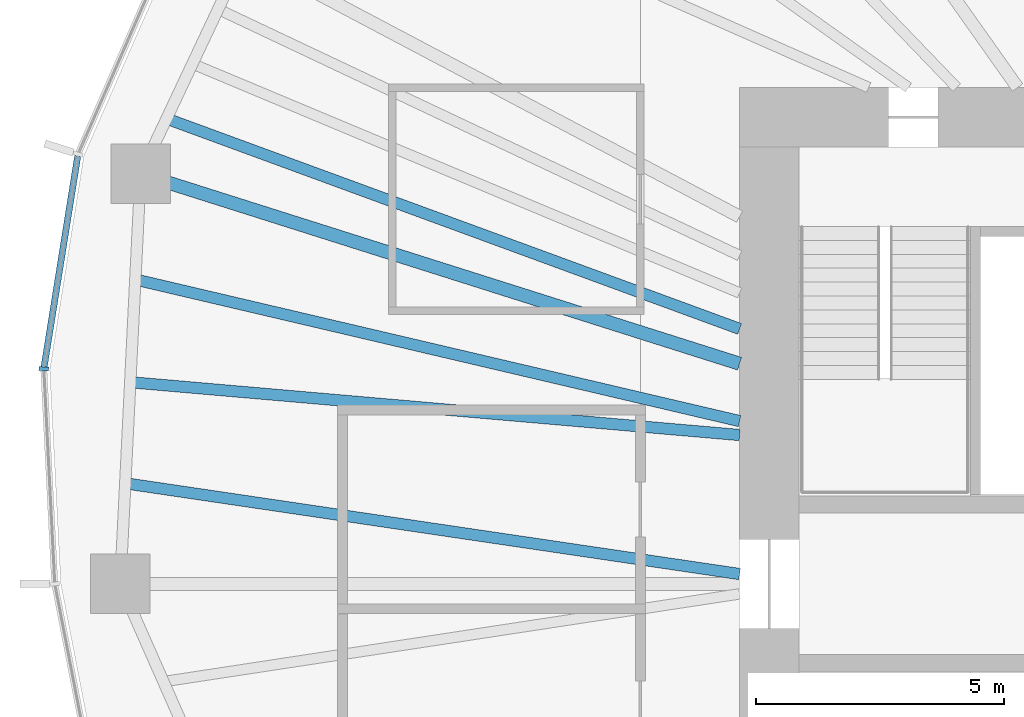
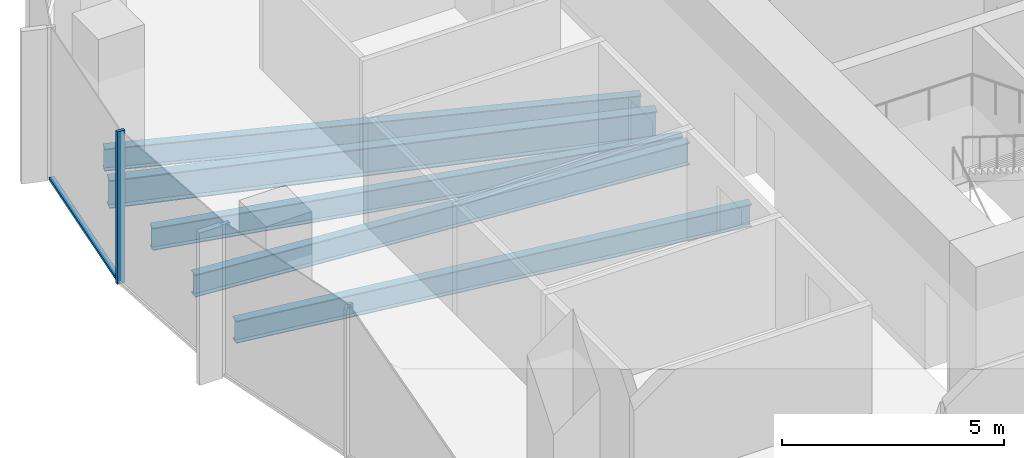
# One storey, part 3 of 11: 5 beams, 2 members, 1 element without a shape of its own.
"""IFC4 building model written with IfcOpenShell, lengths in metres."""

from ifc_helpers import new_model, si_unit, direction, frame, origin, origin_2d, place, context, subcontext, project, spatial, rectangle, i_section, extrude, material, material_profile, profile_set, type_object, element, aggregate, save


model = new_model("IFC4")

# Units and contexts
model_context = context("Model", 3, precision=1e-05, world=origin(), true_north=direction((0.0, 1.0)))
body_context = subcontext(model_context, "Body", "Model", "MODEL_VIEW")
ifc_project = project(units=[si_unit("LENGTHUNIT", "METRE"), si_unit("AREAUNIT", "SQUARE_METRE"), si_unit("VOLUMEUNIT", "CUBIC_METRE"), si_unit("PLANEANGLEUNIT", "RADIAN"), si_unit("MASSUNIT", "GRAM", prefix="KILO")], contexts=[model_context])

# Site, building, storey
site_placement = place(None, origin())
site = spatial("IfcSite", under=ifc_project, at=site_placement, CompositionType="ELEMENT")
building_placement = place(site_placement, origin())
building = spatial("IfcBuilding", under=site, at=building_placement, Name="Ghaith Harvest Tower", CompositionType="ELEMENT")
storey_placement = place(building_placement, frame((0.0, 0.0, 245.199951171875)))
storey = spatial("IfcBuildingStorey", under=building, at=storey_placement, Name="L54", CompositionType="ELEMENT", Elevation=245.199951171875)

# Curtain wall, members
ifc_material_1 = material(Name="Black anodised aluminium and fritted glass", Category="aluminium")
curtain_wall_type = type_object("IfcCurtainWallType", Name="CW-H CURTAIN WALL", PredefinedType="NOTDEFINED", material=ifc_material_1)
curtain_wall_placement = place(storey_placement, origin())
curtain_wall = element("IfcCurtainWall", 1, at=curtain_wall_placement, inside=storey, type_object=curtain_wall_type, Name="Curtain wall CW-H bay 10 L54", PredefinedType="NOTDEFINED")
ifc_material_2 = material(Name="Aluminium, black anodised", Category="aluminium")
ifc_material_profile_1 = material_profile(ifc_material_2, rectangle(XDim=0.080078125, YDim=0.199951171875, at=origin_2d()), Name="CW-H MULLION 80x200")
ifc_profile_set_1 = profile_set([ifc_material_profile_1], Name="Aluminium, black anodised")
member_type_1 = type_object("IfcMemberType", Name="CW-H MULLION 80x200", PredefinedType="MULLION", material=ifc_profile_set_1)
member_1_placement = place(storey_placement, frame((-28.015869140625, 4.333251953125, 0.0), z_axis=(0.0, 0.0, 1.0), x_axis=(-0.054116047044, -0.998534653105, 0.0)))
member_1 = element("IfcMember", 2, at=member_1_placement, type_object=member_type_1, Name="CW-H mullion 2 bay 10 L54", PredefinedType="MULLION", context=body_context, shape_type="SweptSolid", body=[
    extrude(rectangle(XDim=0.080078125, YDim=0.199951171875, at=origin_2d()), origin(), (0.0, 0.0, 1.0), 4.199951171875),
])
ifc_material_3 = material(Name="Aluminium, black anodised", Category="aluminium")
ifc_material_profile_2 = material_profile(ifc_material_3, rectangle(XDim=0.1298828125, YDim=0.080078125, at=origin_2d()), Name="CW-H TRANSOM 130x80")
ifc_profile_set_2 = profile_set([ifc_material_profile_2], Name="Aluminium, black anodised")
member_type_2 = type_object("IfcMemberType", Name="CW-H TRANSOM 130x80", PredefinedType="USERDEFINED", material=ifc_profile_set_2)
member_2_placement = place(storey_placement, frame((-27.33203125, 8.62060546875, 0.0400390625), z_axis=(-0.157492444441, -0.98752019217, 0.0), x_axis=(0.98752019217, -0.157492444441, 0.0)))
member_2 = element("IfcMember", 3, at=member_2_placement, type_object=member_type_2, Name="CW-H transom 1 bay 10 L54", ObjectType="TRANSOM", PredefinedType="USERDEFINED", context=body_context, shape_type="SweptSolid", body=[
    extrude(rectangle(XDim=0.1298828125, YDim=0.080078125, at=origin_2d()), origin(), (0.0, 0.0, 1.0), 4.3017578125),
])
aggregate(curtain_wall, [member_2, member_1])

# Beams
ifc_material_4 = material(Name="Steel ASTM A992 Grade 50", Category="steel")
ifc_material_profile_3 = material_profile(ifc_material_4, i_section(OverallWidth=0.26806640625, OverallDepth=0.77001953125, WebThickness=0.015625, FlangeThickness=0.025390625, at=origin_2d()), Name="W760X196")
ifc_profile_set_3 = profile_set([ifc_material_profile_3], Name="Steel ASTM A992 Grade 50")
beam_type_1 = type_object("IfcBeamType", Name="G760-196 W760X196", PredefinedType="BEAM", material=ifc_profile_set_3)
beam_1_placement = place(storey_placement, frame((-14.0, 4.43701171875, -0.554931640625), z_axis=(-0.953278738841, 0.302092115212, 0.0), x_axis=(-0.302092115212, -0.953278738841, 0.0)))
element("IfcBeam", 4, at=beam_1_placement, inside=storey, type_object=beam_type_1, Name="Radial girder G10 L54", PredefinedType="BEAM", context=body_context, shape_type="SweptSolid", body=[
    extrude(i_section(OverallWidth=0.26806640625, OverallDepth=0.77001953125, WebThickness=0.015625, FlangeThickness=0.025390625, at=origin_2d()), origin(), (0.0, 0.0, 1.0), 12.658203125),
])
ifc_material_5 = material(Name="Steel ASTM A992 Grade 50", Category="steel")
ifc_material_profile_4 = material_profile(ifc_material_5, i_section(OverallWidth=0.22900390625, OverallDepth=0.612060546875, WebThickness=0.011962890625, FlangeThickness=0.01953125, at=origin_2d()), Name="W610X125")
ifc_profile_set_4 = profile_set([ifc_material_profile_4], Name="Steel ASTM A992 Grade 50")
beam_type_2 = type_object("IfcBeamType", Name="J610-125 W610X125", PredefinedType="JOIST", material=ifc_profile_set_4)
beam_2_placement = place(storey_placement, frame((-14.0, 5.137939453125, -0.475830078125), z_axis=(-0.938775301049, 0.344530019216, 0.0), x_axis=(-0.344530019216, -0.938775301049, 0.0)))
element("IfcBeam", 5, at=beam_2_placement, inside=storey, type_object=beam_type_2, Name="Joist J09.3 L54", PredefinedType="JOIST", context=body_context, shape_type="SweptSolid", body=[
    extrude(i_section(OverallWidth=0.22900390625, OverallDepth=0.612060546875, WebThickness=0.011962890625, FlangeThickness=0.01953125, at=origin_2d()), origin(), (0.0, 0.0, 1.0), 12.295166015625),
])
beam_3_placement = place(storey_placement, frame((-14.0, 3.280517578125, -0.475830078125), z_axis=(-0.973621665777, 0.228168472691, 0.0), x_axis=(-0.228168472691, -0.973621665777, 0.0)))
element("IfcBeam", 6, at=beam_3_placement, inside=storey, type_object=beam_type_2, Name="Joist J10.1 L54", PredefinedType="JOIST", context=body_context, shape_type="SweptSolid", body=[
    extrude(i_section(OverallWidth=0.22900390625, OverallDepth=0.612060546875, WebThickness=0.011962890625, FlangeThickness=0.01953125, at=origin_2d()), origin(), (0.0, 0.0, 1.0), 12.501953125),
])
beam_4_placement = place(storey_placement, frame((-14.0, 3.0, -0.475830078125), z_axis=(-0.996265900996, 0.086338024716, 0.0), x_axis=(-0.086338024716, -0.996265900996, 0.0)))
element("IfcBeam", 7, at=beam_4_placement, inside=storey, type_object=beam_type_2, Name="Joist J10.2 L54", PredefinedType="JOIST", context=body_context, shape_type="SweptSolid", body=[
    extrude(i_section(OverallWidth=0.22900390625, OverallDepth=0.612060546875, WebThickness=0.011962890625, FlangeThickness=0.01953125, at=origin_2d()), origin(), (0.0, 0.0, 1.0), 12.3203125),
])
beam_5_placement = place(storey_placement, frame((-14.0, 0.199951171875, -0.475830078125), z_axis=(-0.989269378665, 0.146103033631, 0.0), x_axis=(-0.146103033631, -0.989269378665, 0.0)))
element("IfcBeam", 8, at=beam_5_placement, inside=storey, type_object=beam_type_2, Name="Joist J10.3 L54", PredefinedType="JOIST", context=body_context, shape_type="SweptSolid", body=[
    extrude(i_section(OverallWidth=0.22900390625, OverallDepth=0.612060546875, WebThickness=0.011962890625, FlangeThickness=0.01953125, at=origin_2d()), origin(), (0.0, 0.0, 1.0), 12.50927734375),
])

save(model, "model.ifc")
